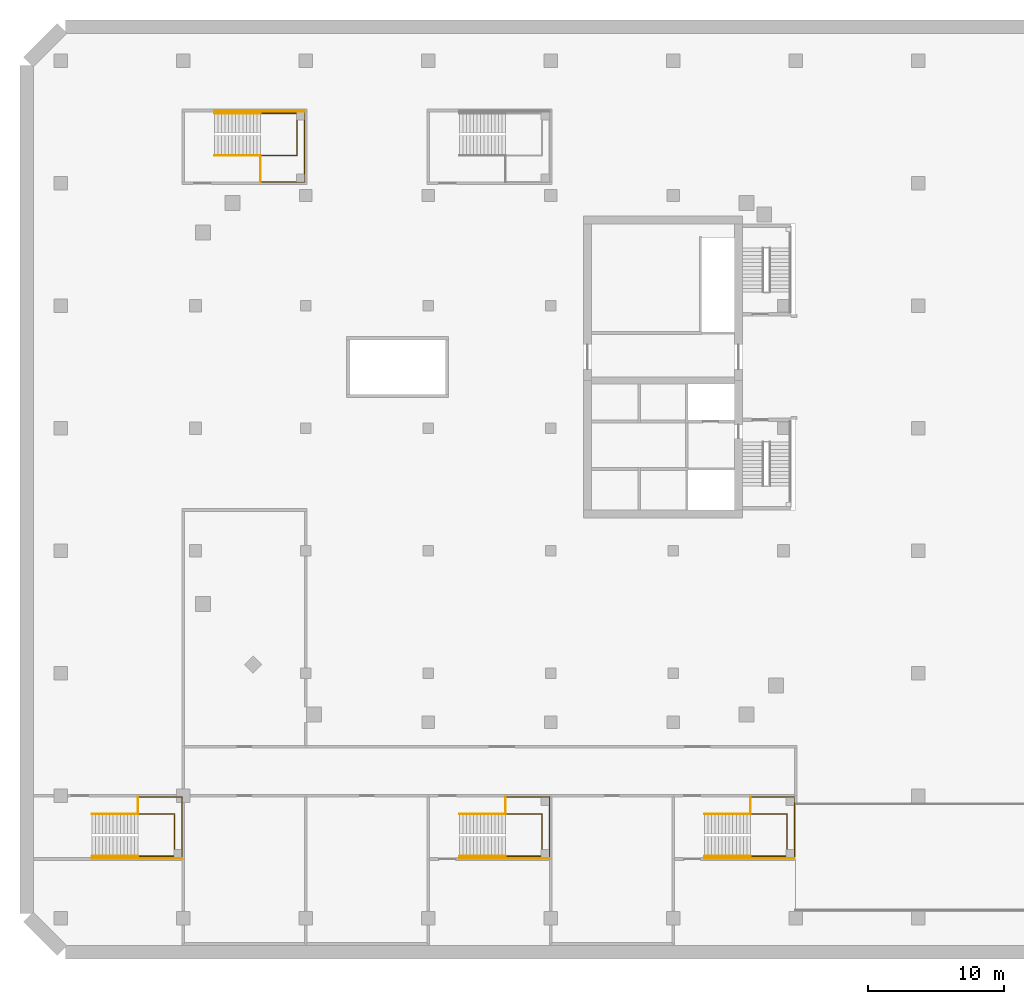
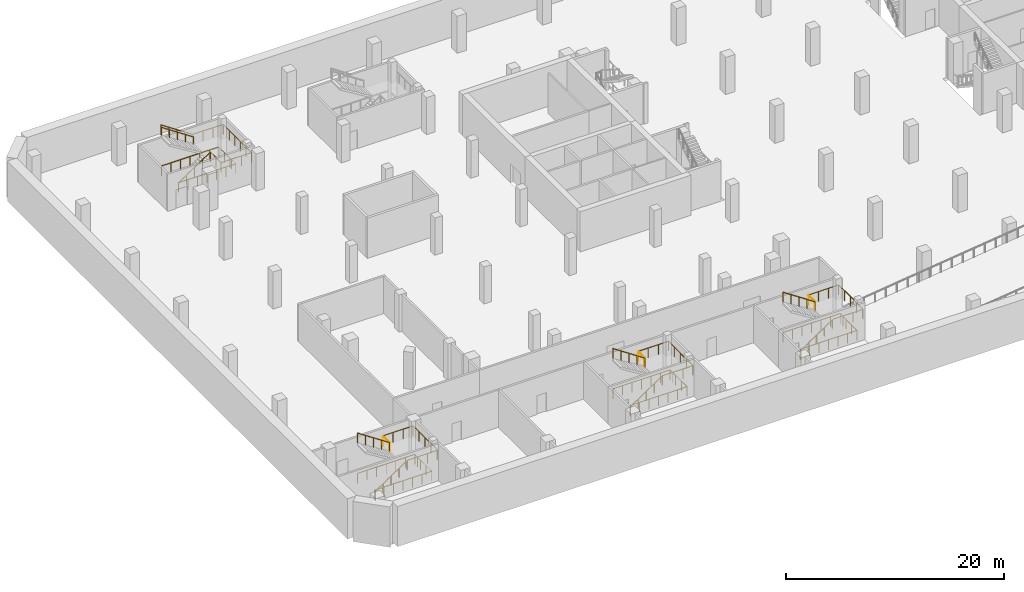
# One storey, part 12 of 16: 24 railings.
"""IFC4 building model written with IfcOpenShell, lengths in metres."""

from ifc_helpers import new_model, si_unit, direction, frame, origin, origin_2d, place, context, subcontext, project, spatial, circle, extrude, material, type_object, element, save


model = new_model("IFC4")

# Units and contexts
model_context = context("Model", 3, precision=1e-05, world=origin(), true_north=direction((0.0, 1.0)))
body_context = subcontext(model_context, "Body", "Model", "MODEL_VIEW")
ifc_project = project(units=[si_unit("LENGTHUNIT", "METRE"), si_unit("AREAUNIT", "SQUARE_METRE"), si_unit("VOLUMEUNIT", "CUBIC_METRE"), si_unit("PLANEANGLEUNIT", "RADIAN"), si_unit("MASSUNIT", "GRAM", prefix="KILO")], contexts=[model_context])

# Site, building, storey
site_placement = place(None, origin())
site = spatial("IfcSite", under=ifc_project, at=site_placement, CompositionType="ELEMENT")
building_placement = place(site_placement, origin())
building = spatial("IfcBuilding", under=site, at=building_placement, Name="Cinnabar Reach Civic Tower", CompositionType="ELEMENT")
storey_placement = place(building_placement, frame((0.0, 0.0, -9.5)))
storey = spatial("IfcBuildingStorey", under=building, at=storey_placement, Name="B2", CompositionType="ELEMENT", Elevation=-9.5)

# Railings
ifc_material_1 = material(Name="Stainless steel and glass", Category="steel")
railing_type_1 = type_object("IfcRailingType", Name="Podium guard 1100", PredefinedType="GUARDRAIL", material=ifc_material_1)
railing_1_placement = place(storey_placement, frame((-75.32, -1.35, 2.25)))
element("IfcRailing", 1, at=railing_1_placement, inside=storey, type_object=railing_type_1, Name="Stair guard PS1 B2", PredefinedType="GUARDRAIL", context=body_context, shape_type="SweptSolid", body=[
    extrude(circle(Radius=0.024, at=origin_2d()), frame((0.0, 0.0, 1.076), z_axis=(-0.832428993721, 0.0, 0.554131726589), x_axis=(0.0, -1.0, 0.0)), (0.0, 0.0, 1.0), 4.0604),
    extrude(circle(Radius=0.021, at=origin_2d()), origin(), (0.0, 0.0, 1.0), 1.052),
    extrude(circle(Radius=0.021, at=origin_2d()), frame((-0.845, 0.0, 0.5625)), (0.0, 0.0, 1.0), 1.052),
    extrude(circle(Radius=0.021, at=origin_2d()), frame((-1.69, 0.0, 1.125)), (0.0, 0.0, 1.0), 1.052),
    extrude(circle(Radius=0.021, at=origin_2d()), frame((-2.535, 0.0, 1.6875)), (0.0, 0.0, 1.0), 1.052),
    extrude(circle(Radius=0.021, at=origin_2d()), frame((-3.38, 0.0, 2.25)), (0.0, 0.0, 1.0), 1.052),
])
railing_2_placement = place(storey_placement, frame((-75.32, -0.1, 2.25)))
element("IfcRailing", 2, at=railing_2_placement, inside=storey, type_object=railing_type_1, Name="Landing guard PS1 B2", PredefinedType="GUARDRAIL", context=body_context, shape_type="SweptSolid", body=[
    extrude(circle(Radius=0.024, at=origin_2d()), frame((0.0, 0.0, 1.076), z_axis=(1.0, 0.0, 0.0), x_axis=(0.0, 1.0, 0.0)), (0.0, 0.0, 1.0), 3.22),
    extrude(circle(Radius=0.024, at=origin_2d()), frame((3.22, 0.0, 1.076), z_axis=(0.0, -1.0, 0.0), x_axis=(1.0, 0.0, 0.0)), (0.0, 0.0, 1.0), 4.4),
    extrude(circle(Radius=0.021, at=origin_2d()), origin(), (0.0, 0.0, 1.0), 1.052),
    extrude(circle(Radius=0.021, at=origin_2d()), frame((1.0733, 0.0, 0.0)), (0.0, 0.0, 1.0), 1.052),
    extrude(circle(Radius=0.021, at=origin_2d()), frame((2.1467, 0.0, 0.0)), (0.0, 0.0, 1.0), 1.052),
    extrude(circle(Radius=0.021, at=origin_2d()), frame((3.22, 0.0, 0.0)), (0.0, 0.0, 1.0), 1.052),
    extrude(circle(Radius=0.021, at=origin_2d()), frame((3.22, -1.1, 0.0)), (0.0, 0.0, 1.0), 1.052),
    extrude(circle(Radius=0.021, at=origin_2d()), frame((3.22, -2.2, 0.0)), (0.0, 0.0, 1.0), 1.052),
    extrude(circle(Radius=0.021, at=origin_2d()), frame((3.22, -3.3, 0.0)), (0.0, 0.0, 1.0), 1.052),
    extrude(circle(Radius=0.021, at=origin_2d()), frame((3.22, -4.4, 0.0)), (0.0, 0.0, 1.0), 1.052),
])
railing_3_placement = place(storey_placement, frame((-75.32, -1.3, 2.25)))
element("IfcRailing", 3, at=railing_3_placement, inside=storey, type_object=railing_type_1, Name="Landing guard PS1 B2 inner", PredefinedType="GUARDRAIL", context=body_context, shape_type="SweptSolid", body=[
    extrude(circle(Radius=0.024, at=origin_2d()), frame((0.0, 0.0, 1.076), z_axis=(0.0, 1.0, 0.0), x_axis=(-1.0, 0.0, 0.0)), (0.0, 0.0, 1.0), 1.2),
    extrude(circle(Radius=0.021, at=origin_2d()), origin(), (0.0, 0.0, 1.0), 1.052),
    extrude(circle(Radius=0.021, at=origin_2d()), frame((0.0, 1.2, 0.0)), (0.0, 0.0, 1.0), 1.052),
])
railing_4_placement = place(storey_placement, frame((-78.7, -4.6, 0.0)))
element("IfcRailing", 4, at=railing_4_placement, inside=storey, type_object=railing_type_1, Name="Stair wall side guard PS1 B2", PredefinedType="GUARDRAIL", context=body_context, shape_type="SweptSolid", body=[
    extrude(circle(Radius=0.024, at=origin_2d()), frame((0.0, 0.0, 1.076), z_axis=(0.832428993721, 0.0, 0.554131726589), x_axis=(0.0, 1.0, 0.0)), (0.0, 0.0, 1.0), 4.0604),
    extrude(circle(Radius=0.024, at=origin_2d()), frame((3.38, 0.0, 3.326), z_axis=(1.0, 0.0, 0.0), x_axis=(0.0, 1.0, 0.0)), (0.0, 0.0, 1.0), 3.22),
    extrude(circle(Radius=0.021, at=origin_2d()), origin(), (0.0, 0.0, 1.0), 1.052),
    extrude(circle(Radius=0.021, at=origin_2d()), frame((0.845, 0.0, 0.5625)), (0.0, 0.0, 1.0), 1.052),
    extrude(circle(Radius=0.021, at=origin_2d()), frame((1.69, 0.0, 1.125)), (0.0, 0.0, 1.0), 1.052),
    extrude(circle(Radius=0.021, at=origin_2d()), frame((2.535, 0.0, 1.6875)), (0.0, 0.0, 1.0), 1.052),
    extrude(circle(Radius=0.021, at=origin_2d()), frame((3.38, 0.0, 2.25)), (0.0, 0.0, 1.0), 1.052),
    extrude(circle(Radius=0.021, at=origin_2d()), frame((4.4533, 0.0, 2.25)), (0.0, 0.0, 1.0), 1.052),
    extrude(circle(Radius=0.021, at=origin_2d()), frame((5.5267, 0.0, 2.25)), (0.0, 0.0, 1.0), 1.052),
    extrude(circle(Radius=0.021, at=origin_2d()), frame((6.6, 0.0, 2.25)), (0.0, 0.0, 1.0), 1.052),
])
railing_5_placement = place(storey_placement, frame((-78.7, -4.45, 0.0)))
element("IfcRailing", 5, at=railing_5_placement, inside=storey, type_object=railing_type_1, Name="Stair well guard PS1 B2", PredefinedType="GUARDRAIL", context=body_context, shape_type="SweptSolid", body=[
    extrude(circle(Radius=0.024, at=origin_2d()), frame((0.0, 0.0, 1.076), z_axis=(1.0, 0.0, 0.0), x_axis=(0.0, 1.0, 0.0)), (0.0, 0.0, 1.0), 6.05),
    extrude(circle(Radius=0.024, at=origin_2d()), frame((6.05, 0.0, 1.076), z_axis=(0.0, 1.0, 0.0), x_axis=(-1.0, 0.0, 0.0)), (0.0, 0.0, 1.0), 3.1),
    extrude(circle(Radius=0.024, at=origin_2d()), frame((6.05, 3.1, 1.076), z_axis=(-1.0, 0.0, 0.0), x_axis=(0.0, -1.0, 0.0)), (0.0, 0.0, 1.0), 6.05),
    extrude(circle(Radius=0.021, at=origin_2d()), origin(), (0.0, 0.0, 1.0), 1.052),
    extrude(circle(Radius=0.021, at=origin_2d()), frame((1.0083, 0.0, 0.0)), (0.0, 0.0, 1.0), 1.052),
    extrude(circle(Radius=0.021, at=origin_2d()), frame((2.0167, 0.0, 0.0)), (0.0, 0.0, 1.0), 1.052),
    extrude(circle(Radius=0.021, at=origin_2d()), frame((3.025, 0.0, 0.0)), (0.0, 0.0, 1.0), 1.052),
    extrude(circle(Radius=0.021, at=origin_2d()), frame((4.0333, 0.0, 0.0)), (0.0, 0.0, 1.0), 1.052),
    extrude(circle(Radius=0.021, at=origin_2d()), frame((5.0417, 0.0, 0.0)), (0.0, 0.0, 1.0), 1.052),
    extrude(circle(Radius=0.021, at=origin_2d()), frame((6.05, 0.0, 0.0)), (0.0, 0.0, 1.0), 1.052),
    extrude(circle(Radius=0.021, at=origin_2d()), frame((6.05, 1.0333, 0.0)), (0.0, 0.0, 1.0), 1.052),
    extrude(circle(Radius=0.021, at=origin_2d()), frame((6.05, 2.0667, 0.0)), (0.0, 0.0, 1.0), 1.052),
    extrude(circle(Radius=0.021, at=origin_2d()), frame((6.05, 3.1, 0.0)), (0.0, 0.0, 1.0), 1.052),
    extrude(circle(Radius=0.021, at=origin_2d()), frame((5.0417, 3.1, 0.0)), (0.0, 0.0, 1.0), 1.052),
    extrude(circle(Radius=0.021, at=origin_2d()), frame((4.0333, 3.1, 0.0)), (0.0, 0.0, 1.0), 1.052),
    extrude(circle(Radius=0.021, at=origin_2d()), frame((3.025, 3.1, 0.0)), (0.0, 0.0, 1.0), 1.052),
    extrude(circle(Radius=0.021, at=origin_2d()), frame((2.0167, 3.1, 0.0)), (0.0, 0.0, 1.0), 1.052),
    extrude(circle(Radius=0.021, at=origin_2d()), frame((1.0083, 3.1, 0.0)), (0.0, 0.0, 1.0), 1.052),
    extrude(circle(Radius=0.021, at=origin_2d()), frame((0.0, 3.1, 0.0)), (0.0, 0.0, 1.0), 1.052),
])
railing_6_placement = place(storey_placement, frame((-69.7, 47.05, 0.0)))
element("IfcRailing", 6, at=railing_6_placement, inside=storey, type_object=railing_type_1, Name="Stair guard PS2 B2", PredefinedType="GUARDRAIL", context=body_context, shape_type="SweptSolid", body=[
    extrude(circle(Radius=0.024, at=origin_2d()), frame((0.0, 0.0, 1.076), z_axis=(0.832428993721, 0.0, 0.554131726589), x_axis=(0.0, 1.0, 0.0)), (0.0, 0.0, 1.0), 4.0604),
    extrude(circle(Radius=0.021, at=origin_2d()), origin(), (0.0, 0.0, 1.0), 1.052),
    extrude(circle(Radius=0.021, at=origin_2d()), frame((0.845, 0.0, 0.5625)), (0.0, 0.0, 1.0), 1.052),
    extrude(circle(Radius=0.021, at=origin_2d()), frame((1.69, 0.0, 1.125)), (0.0, 0.0, 1.0), 1.052),
    extrude(circle(Radius=0.021, at=origin_2d()), frame((2.535, 0.0, 1.6875)), (0.0, 0.0, 1.0), 1.052),
    extrude(circle(Radius=0.021, at=origin_2d()), frame((3.38, 0.0, 2.25)), (0.0, 0.0, 1.0), 1.052),
])
railing_7_placement = place(storey_placement, frame((-66.32, 45.1, 2.25)))
element("IfcRailing", 7, at=railing_7_placement, inside=storey, type_object=railing_type_1, Name="Landing guard PS2 B2", PredefinedType="GUARDRAIL", context=body_context, shape_type="SweptSolid", body=[
    extrude(circle(Radius=0.024, at=origin_2d()), frame((0.0, 0.0, 1.076), z_axis=(1.0, 0.0, 0.0), x_axis=(0.0, 1.0, 0.0)), (0.0, 0.0, 1.0), 3.22),
    extrude(circle(Radius=0.024, at=origin_2d()), frame((3.22, 0.0, 1.076), z_axis=(0.0, 1.0, 0.0), x_axis=(-1.0, 0.0, 0.0)), (0.0, 0.0, 1.0), 5.1),
    extrude(circle(Radius=0.021, at=origin_2d()), origin(), (0.0, 0.0, 1.0), 1.052),
    extrude(circle(Radius=0.021, at=origin_2d()), frame((1.0733, 0.0, 0.0)), (0.0, 0.0, 1.0), 1.052),
    extrude(circle(Radius=0.021, at=origin_2d()), frame((2.1467, 0.0, 0.0)), (0.0, 0.0, 1.0), 1.052),
    extrude(circle(Radius=0.021, at=origin_2d()), frame((3.22, 0.0, 0.0)), (0.0, 0.0, 1.0), 1.052),
    extrude(circle(Radius=0.021, at=origin_2d()), frame((3.22, 1.02, 0.0)), (0.0, 0.0, 1.0), 1.052),
    extrude(circle(Radius=0.021, at=origin_2d()), frame((3.22, 2.04, 0.0)), (0.0, 0.0, 1.0), 1.052),
    extrude(circle(Radius=0.021, at=origin_2d()), frame((3.22, 3.06, 0.0)), (0.0, 0.0, 1.0), 1.052),
    extrude(circle(Radius=0.021, at=origin_2d()), frame((3.22, 4.08, 0.0)), (0.0, 0.0, 1.0), 1.052),
    extrude(circle(Radius=0.021, at=origin_2d()), frame((3.22, 5.1, 0.0)), (0.0, 0.0, 1.0), 1.052),
])
railing_8_placement = place(storey_placement, frame((-66.32, 45.1, 2.25)))
element("IfcRailing", 8, at=railing_8_placement, inside=storey, type_object=railing_type_1, Name="Landing guard PS2 B2 inner", PredefinedType="GUARDRAIL", context=body_context, shape_type="SweptSolid", body=[
    extrude(circle(Radius=0.024, at=origin_2d()), frame((0.0, 0.0, 1.076), z_axis=(0.0, 1.0, 0.0), x_axis=(-1.0, 0.0, 0.0)), (0.0, 0.0, 1.0), 1.9),
    extrude(circle(Radius=0.021, at=origin_2d()), origin(), (0.0, 0.0, 1.0), 1.052),
    extrude(circle(Radius=0.021, at=origin_2d()), frame((0.0, 0.95, 0.0)), (0.0, 0.0, 1.0), 1.052),
    extrude(circle(Radius=0.021, at=origin_2d()), frame((0.0, 1.9, 0.0)), (0.0, 0.0, 1.0), 1.052),
])
railing_9_placement = place(storey_placement, frame((-63.1, 50.3, 2.25)))
element("IfcRailing", 9, at=railing_9_placement, inside=storey, type_object=railing_type_1, Name="Stair wall side guard PS2 B2", PredefinedType="GUARDRAIL", context=body_context, shape_type="SweptSolid", body=[
    extrude(circle(Radius=0.024, at=origin_2d()), frame((0.0, 0.0, 1.076), z_axis=(-1.0, 0.0, 0.0), x_axis=(0.0, -1.0, 0.0)), (0.0, 0.0, 1.0), 3.22),
    extrude(circle(Radius=0.024, at=origin_2d()), frame((-3.22, 0.0, 1.076), z_axis=(-0.832428993721, 0.0, 0.554131726589), x_axis=(0.0, -1.0, 0.0)), (0.0, 0.0, 1.0), 4.0604),
    extrude(circle(Radius=0.021, at=origin_2d()), origin(), (0.0, 0.0, 1.0), 1.052),
    extrude(circle(Radius=0.021, at=origin_2d()), frame((-1.0733, 0.0, 0.0)), (0.0, 0.0, 1.0), 1.052),
    extrude(circle(Radius=0.021, at=origin_2d()), frame((-2.1467, 0.0, 0.0)), (0.0, 0.0, 1.0), 1.052),
    extrude(circle(Radius=0.021, at=origin_2d()), frame((-3.22, 0.0, 0.0)), (0.0, 0.0, 1.0), 1.052),
    extrude(circle(Radius=0.021, at=origin_2d()), frame((-4.065, 0.0, 0.5625)), (0.0, 0.0, 1.0), 1.052),
    extrude(circle(Radius=0.021, at=origin_2d()), frame((-4.91, 0.0, 1.125)), (0.0, 0.0, 1.0), 1.052),
    extrude(circle(Radius=0.021, at=origin_2d()), frame((-5.755, 0.0, 1.6875)), (0.0, 0.0, 1.0), 1.052),
    extrude(circle(Radius=0.021, at=origin_2d()), frame((-6.6, 0.0, 2.25)), (0.0, 0.0, 1.0), 1.052),
])
railing_10_placement = place(storey_placement, frame((-69.7, 47.05, 0.0)))
element("IfcRailing", 10, at=railing_10_placement, inside=storey, type_object=railing_type_1, Name="Stair well guard PS2 B2", PredefinedType="GUARDRAIL", context=body_context, shape_type="SweptSolid", body=[
    extrude(circle(Radius=0.024, at=origin_2d()), frame((0.0, 0.0, 1.076), z_axis=(1.0, 0.0, 0.0), x_axis=(0.0, 1.0, 0.0)), (0.0, 0.0, 1.0), 6.05),
    extrude(circle(Radius=0.024, at=origin_2d()), frame((6.05, 0.0, 1.076), z_axis=(0.0, 1.0, 0.0), x_axis=(-1.0, 0.0, 0.0)), (0.0, 0.0, 1.0), 3.1),
    extrude(circle(Radius=0.024, at=origin_2d()), frame((6.05, 3.1, 1.076), z_axis=(-1.0, 0.0, 0.0), x_axis=(0.0, -1.0, 0.0)), (0.0, 0.0, 1.0), 6.05),
    extrude(circle(Radius=0.021, at=origin_2d()), origin(), (0.0, 0.0, 1.0), 1.052),
    extrude(circle(Radius=0.021, at=origin_2d()), frame((1.0083, 0.0, 0.0)), (0.0, 0.0, 1.0), 1.052),
    extrude(circle(Radius=0.021, at=origin_2d()), frame((2.0167, 0.0, 0.0)), (0.0, 0.0, 1.0), 1.052),
    extrude(circle(Radius=0.021, at=origin_2d()), frame((3.025, 0.0, 0.0)), (0.0, 0.0, 1.0), 1.052),
    extrude(circle(Radius=0.021, at=origin_2d()), frame((4.0333, 0.0, 0.0)), (0.0, 0.0, 1.0), 1.052),
    extrude(circle(Radius=0.021, at=origin_2d()), frame((5.0417, 0.0, 0.0)), (0.0, 0.0, 1.0), 1.052),
    extrude(circle(Radius=0.021, at=origin_2d()), frame((6.05, 0.0, 0.0)), (0.0, 0.0, 1.0), 1.052),
    extrude(circle(Radius=0.021, at=origin_2d()), frame((6.05, 1.0333, 0.0)), (0.0, 0.0, 1.0), 1.052),
    extrude(circle(Radius=0.021, at=origin_2d()), frame((6.05, 2.0667, 0.0)), (0.0, 0.0, 1.0), 1.052),
    extrude(circle(Radius=0.021, at=origin_2d()), frame((6.05, 3.1, 0.0)), (0.0, 0.0, 1.0), 1.052),
    extrude(circle(Radius=0.021, at=origin_2d()), frame((5.0417, 3.1, 0.0)), (0.0, 0.0, 1.0), 1.052),
    extrude(circle(Radius=0.021, at=origin_2d()), frame((4.0333, 3.1, 0.0)), (0.0, 0.0, 1.0), 1.052),
    extrude(circle(Radius=0.021, at=origin_2d()), frame((3.025, 3.1, 0.0)), (0.0, 0.0, 1.0), 1.052),
    extrude(circle(Radius=0.021, at=origin_2d()), frame((2.0167, 3.1, 0.0)), (0.0, 0.0, 1.0), 1.052),
    extrude(circle(Radius=0.021, at=origin_2d()), frame((1.0083, 3.1, 0.0)), (0.0, 0.0, 1.0), 1.052),
    extrude(circle(Radius=0.021, at=origin_2d()), frame((0.0, 3.1, 0.0)), (0.0, 0.0, 1.0), 1.052),
])
railing_11_placement = place(storey_placement, frame((-48.32, -1.35, 2.25)))
element("IfcRailing", 11, at=railing_11_placement, inside=storey, type_object=railing_type_1, Name="Stair guard PS8 B2", PredefinedType="GUARDRAIL", context=body_context, shape_type="SweptSolid", body=[
    extrude(circle(Radius=0.024, at=origin_2d()), frame((0.0, 0.0, 1.076), z_axis=(-0.832428993721, 0.0, 0.554131726589), x_axis=(0.0, -1.0, 0.0)), (0.0, 0.0, 1.0), 4.0604),
    extrude(circle(Radius=0.021, at=origin_2d()), origin(), (0.0, 0.0, 1.0), 1.052),
    extrude(circle(Radius=0.021, at=origin_2d()), frame((-0.845, 0.0, 0.5625)), (0.0, 0.0, 1.0), 1.052),
    extrude(circle(Radius=0.021, at=origin_2d()), frame((-1.69, 0.0, 1.125)), (0.0, 0.0, 1.0), 1.052),
    extrude(circle(Radius=0.021, at=origin_2d()), frame((-2.535, 0.0, 1.6875)), (0.0, 0.0, 1.0), 1.052),
    extrude(circle(Radius=0.021, at=origin_2d()), frame((-3.38, 0.0, 2.25)), (0.0, 0.0, 1.0), 1.052),
])
railing_12_placement = place(storey_placement, frame((-48.32, -0.1, 2.25)))
element("IfcRailing", 12, at=railing_12_placement, inside=storey, type_object=railing_type_1, Name="Landing guard PS8 B2", PredefinedType="GUARDRAIL", context=body_context, shape_type="SweptSolid", body=[
    extrude(circle(Radius=0.024, at=origin_2d()), frame((0.0, 0.0, 1.076), z_axis=(1.0, 0.0, 0.0), x_axis=(0.0, 1.0, 0.0)), (0.0, 0.0, 1.0), 3.22),
    extrude(circle(Radius=0.024, at=origin_2d()), frame((3.22, 0.0, 1.076), z_axis=(0.0, -1.0, 0.0), x_axis=(1.0, 0.0, 0.0)), (0.0, 0.0, 1.0), 4.4),
    extrude(circle(Radius=0.021, at=origin_2d()), origin(), (0.0, 0.0, 1.0), 1.052),
    extrude(circle(Radius=0.021, at=origin_2d()), frame((1.0733, 0.0, 0.0)), (0.0, 0.0, 1.0), 1.052),
    extrude(circle(Radius=0.021, at=origin_2d()), frame((2.1467, 0.0, 0.0)), (0.0, 0.0, 1.0), 1.052),
    extrude(circle(Radius=0.021, at=origin_2d()), frame((3.22, 0.0, 0.0)), (0.0, 0.0, 1.0), 1.052),
    extrude(circle(Radius=0.021, at=origin_2d()), frame((3.22, -1.1, 0.0)), (0.0, 0.0, 1.0), 1.052),
    extrude(circle(Radius=0.021, at=origin_2d()), frame((3.22, -2.2, 0.0)), (0.0, 0.0, 1.0), 1.052),
    extrude(circle(Radius=0.021, at=origin_2d()), frame((3.22, -3.3, 0.0)), (0.0, 0.0, 1.0), 1.052),
    extrude(circle(Radius=0.021, at=origin_2d()), frame((3.22, -4.4, 0.0)), (0.0, 0.0, 1.0), 1.052),
])
railing_13_placement = place(storey_placement, frame((-48.32, -1.3, 2.25)))
element("IfcRailing", 13, at=railing_13_placement, inside=storey, type_object=railing_type_1, Name="Landing guard PS8 B2 inner", PredefinedType="GUARDRAIL", context=body_context, shape_type="SweptSolid", body=[
    extrude(circle(Radius=0.024, at=origin_2d()), frame((0.0, 0.0, 1.076), z_axis=(0.0, 1.0, 0.0), x_axis=(-1.0, 0.0, 0.0)), (0.0, 0.0, 1.0), 1.2),
    extrude(circle(Radius=0.021, at=origin_2d()), origin(), (0.0, 0.0, 1.0), 1.052),
    extrude(circle(Radius=0.021, at=origin_2d()), frame((0.0, 1.2, 0.0)), (0.0, 0.0, 1.0), 1.052),
])
railing_14_placement = place(storey_placement, frame((-51.7, -4.6, 0.0)))
element("IfcRailing", 14, at=railing_14_placement, inside=storey, type_object=railing_type_1, Name="Stair wall side guard PS8 B2", PredefinedType="GUARDRAIL", context=body_context, shape_type="SweptSolid", body=[
    extrude(circle(Radius=0.024, at=origin_2d()), frame((0.0, 0.0, 1.076), z_axis=(0.832428993721, 0.0, 0.554131726589), x_axis=(0.0, 1.0, 0.0)), (0.0, 0.0, 1.0), 4.0604),
    extrude(circle(Radius=0.024, at=origin_2d()), frame((3.38, 0.0, 3.326), z_axis=(1.0, 0.0, 0.0), x_axis=(0.0, 1.0, 0.0)), (0.0, 0.0, 1.0), 3.22),
    extrude(circle(Radius=0.021, at=origin_2d()), origin(), (0.0, 0.0, 1.0), 1.052),
    extrude(circle(Radius=0.021, at=origin_2d()), frame((0.845, 0.0, 0.5625)), (0.0, 0.0, 1.0), 1.052),
    extrude(circle(Radius=0.021, at=origin_2d()), frame((1.69, 0.0, 1.125)), (0.0, 0.0, 1.0), 1.052),
    extrude(circle(Radius=0.021, at=origin_2d()), frame((2.535, 0.0, 1.6875)), (0.0, 0.0, 1.0), 1.052),
    extrude(circle(Radius=0.021, at=origin_2d()), frame((3.38, 0.0, 2.25)), (0.0, 0.0, 1.0), 1.052),
    extrude(circle(Radius=0.021, at=origin_2d()), frame((4.4533, 0.0, 2.25)), (0.0, 0.0, 1.0), 1.052),
    extrude(circle(Radius=0.021, at=origin_2d()), frame((5.5267, 0.0, 2.25)), (0.0, 0.0, 1.0), 1.052),
    extrude(circle(Radius=0.021, at=origin_2d()), frame((6.6, 0.0, 2.25)), (0.0, 0.0, 1.0), 1.052),
])
railing_15_placement = place(storey_placement, frame((-51.7, -4.45, 0.0)))
element("IfcRailing", 15, at=railing_15_placement, inside=storey, type_object=railing_type_1, Name="Stair well guard PS8 B2", PredefinedType="GUARDRAIL", context=body_context, shape_type="SweptSolid", body=[
    extrude(circle(Radius=0.024, at=origin_2d()), frame((0.0, 0.0, 1.076), z_axis=(1.0, 0.0, 0.0), x_axis=(0.0, 1.0, 0.0)), (0.0, 0.0, 1.0), 6.05),
    extrude(circle(Radius=0.024, at=origin_2d()), frame((6.05, 0.0, 1.076), z_axis=(0.0, 1.0, 0.0), x_axis=(-1.0, 0.0, 0.0)), (0.0, 0.0, 1.0), 3.1),
    extrude(circle(Radius=0.024, at=origin_2d()), frame((6.05, 3.1, 1.076), z_axis=(-1.0, 0.0, 0.0), x_axis=(0.0, -1.0, 0.0)), (0.0, 0.0, 1.0), 6.05),
    extrude(circle(Radius=0.021, at=origin_2d()), origin(), (0.0, 0.0, 1.0), 1.052),
    extrude(circle(Radius=0.021, at=origin_2d()), frame((1.0083, 0.0, 0.0)), (0.0, 0.0, 1.0), 1.052),
    extrude(circle(Radius=0.021, at=origin_2d()), frame((2.0167, 0.0, 0.0)), (0.0, 0.0, 1.0), 1.052),
    extrude(circle(Radius=0.021, at=origin_2d()), frame((3.025, 0.0, 0.0)), (0.0, 0.0, 1.0), 1.052),
    extrude(circle(Radius=0.021, at=origin_2d()), frame((4.0333, 0.0, 0.0)), (0.0, 0.0, 1.0), 1.052),
    extrude(circle(Radius=0.021, at=origin_2d()), frame((5.0417, 0.0, 0.0)), (0.0, 0.0, 1.0), 1.052),
    extrude(circle(Radius=0.021, at=origin_2d()), frame((6.05, 0.0, 0.0)), (0.0, 0.0, 1.0), 1.052),
    extrude(circle(Radius=0.021, at=origin_2d()), frame((6.05, 1.0333, 0.0)), (0.0, 0.0, 1.0), 1.052),
    extrude(circle(Radius=0.021, at=origin_2d()), frame((6.05, 2.0667, 0.0)), (0.0, 0.0, 1.0), 1.052),
    extrude(circle(Radius=0.021, at=origin_2d()), frame((6.05, 3.1, 0.0)), (0.0, 0.0, 1.0), 1.052),
    extrude(circle(Radius=0.021, at=origin_2d()), frame((5.0417, 3.1, 0.0)), (0.0, 0.0, 1.0), 1.052),
    extrude(circle(Radius=0.021, at=origin_2d()), frame((4.0333, 3.1, 0.0)), (0.0, 0.0, 1.0), 1.052),
    extrude(circle(Radius=0.021, at=origin_2d()), frame((3.025, 3.1, 0.0)), (0.0, 0.0, 1.0), 1.052),
    extrude(circle(Radius=0.021, at=origin_2d()), frame((2.0167, 3.1, 0.0)), (0.0, 0.0, 1.0), 1.052),
    extrude(circle(Radius=0.021, at=origin_2d()), frame((1.0083, 3.1, 0.0)), (0.0, 0.0, 1.0), 1.052),
    extrude(circle(Radius=0.021, at=origin_2d()), frame((0.0, 3.1, 0.0)), (0.0, 0.0, 1.0), 1.052),
])
railing_16_placement = place(storey_placement, frame((-30.32, -1.35, 2.25)))
element("IfcRailing", 16, at=railing_16_placement, inside=storey, type_object=railing_type_1, Name="Stair guard PS9 B2", PredefinedType="GUARDRAIL", context=body_context, shape_type="SweptSolid", body=[
    extrude(circle(Radius=0.024, at=origin_2d()), frame((0.0, 0.0, 1.076), z_axis=(-0.832428993721, 0.0, 0.554131726589), x_axis=(0.0, -1.0, 0.0)), (0.0, 0.0, 1.0), 4.0604),
    extrude(circle(Radius=0.021, at=origin_2d()), origin(), (0.0, 0.0, 1.0), 1.052),
    extrude(circle(Radius=0.021, at=origin_2d()), frame((-0.845, 0.0, 0.5625)), (0.0, 0.0, 1.0), 1.052),
    extrude(circle(Radius=0.021, at=origin_2d()), frame((-1.69, 0.0, 1.125)), (0.0, 0.0, 1.0), 1.052),
    extrude(circle(Radius=0.021, at=origin_2d()), frame((-2.535, 0.0, 1.6875)), (0.0, 0.0, 1.0), 1.052),
    extrude(circle(Radius=0.021, at=origin_2d()), frame((-3.38, 0.0, 2.25)), (0.0, 0.0, 1.0), 1.052),
])
railing_17_placement = place(storey_placement, frame((-30.32, -0.1, 2.25)))
element("IfcRailing", 17, at=railing_17_placement, inside=storey, type_object=railing_type_1, Name="Landing guard PS9 B2", PredefinedType="GUARDRAIL", context=body_context, shape_type="SweptSolid", body=[
    extrude(circle(Radius=0.024, at=origin_2d()), frame((0.0, 0.0, 1.076), z_axis=(1.0, 0.0, 0.0), x_axis=(0.0, 1.0, 0.0)), (0.0, 0.0, 1.0), 3.22),
    extrude(circle(Radius=0.024, at=origin_2d()), frame((3.22, 0.0, 1.076), z_axis=(0.0, -1.0, 0.0), x_axis=(1.0, 0.0, 0.0)), (0.0, 0.0, 1.0), 4.4),
    extrude(circle(Radius=0.021, at=origin_2d()), origin(), (0.0, 0.0, 1.0), 1.052),
    extrude(circle(Radius=0.021, at=origin_2d()), frame((1.0733, 0.0, 0.0)), (0.0, 0.0, 1.0), 1.052),
    extrude(circle(Radius=0.021, at=origin_2d()), frame((2.1467, 0.0, 0.0)), (0.0, 0.0, 1.0), 1.052),
    extrude(circle(Radius=0.021, at=origin_2d()), frame((3.22, 0.0, 0.0)), (0.0, 0.0, 1.0), 1.052),
    extrude(circle(Radius=0.021, at=origin_2d()), frame((3.22, -1.1, 0.0)), (0.0, 0.0, 1.0), 1.052),
    extrude(circle(Radius=0.021, at=origin_2d()), frame((3.22, -2.2, 0.0)), (0.0, 0.0, 1.0), 1.052),
    extrude(circle(Radius=0.021, at=origin_2d()), frame((3.22, -3.3, 0.0)), (0.0, 0.0, 1.0), 1.052),
    extrude(circle(Radius=0.021, at=origin_2d()), frame((3.22, -4.4, 0.0)), (0.0, 0.0, 1.0), 1.052),
])
railing_18_placement = place(storey_placement, frame((-30.32, -1.3, 2.25)))
element("IfcRailing", 18, at=railing_18_placement, inside=storey, type_object=railing_type_1, Name="Landing guard PS9 B2 inner", PredefinedType="GUARDRAIL", context=body_context, shape_type="SweptSolid", body=[
    extrude(circle(Radius=0.024, at=origin_2d()), frame((0.0, 0.0, 1.076), z_axis=(0.0, 1.0, 0.0), x_axis=(-1.0, 0.0, 0.0)), (0.0, 0.0, 1.0), 1.2),
    extrude(circle(Radius=0.021, at=origin_2d()), origin(), (0.0, 0.0, 1.0), 1.052),
    extrude(circle(Radius=0.021, at=origin_2d()), frame((0.0, 1.2, 0.0)), (0.0, 0.0, 1.0), 1.052),
])
railing_19_placement = place(storey_placement, frame((-33.7, -4.6, 0.0)))
element("IfcRailing", 19, at=railing_19_placement, inside=storey, type_object=railing_type_1, Name="Stair wall side guard PS9 B2", PredefinedType="GUARDRAIL", context=body_context, shape_type="SweptSolid", body=[
    extrude(circle(Radius=0.024, at=origin_2d()), frame((0.0, 0.0, 1.076), z_axis=(0.832428993721, 0.0, 0.554131726589), x_axis=(0.0, 1.0, 0.0)), (0.0, 0.0, 1.0), 4.0604),
    extrude(circle(Radius=0.024, at=origin_2d()), frame((3.38, 0.0, 3.326), z_axis=(1.0, 0.0, 0.0), x_axis=(0.0, 1.0, 0.0)), (0.0, 0.0, 1.0), 3.22),
    extrude(circle(Radius=0.021, at=origin_2d()), origin(), (0.0, 0.0, 1.0), 1.052),
    extrude(circle(Radius=0.021, at=origin_2d()), frame((0.845, 0.0, 0.5625)), (0.0, 0.0, 1.0), 1.052),
    extrude(circle(Radius=0.021, at=origin_2d()), frame((1.69, 0.0, 1.125)), (0.0, 0.0, 1.0), 1.052),
    extrude(circle(Radius=0.021, at=origin_2d()), frame((2.535, 0.0, 1.6875)), (0.0, 0.0, 1.0), 1.052),
    extrude(circle(Radius=0.021, at=origin_2d()), frame((3.38, 0.0, 2.25)), (0.0, 0.0, 1.0), 1.052),
    extrude(circle(Radius=0.021, at=origin_2d()), frame((4.4533, 0.0, 2.25)), (0.0, 0.0, 1.0), 1.052),
    extrude(circle(Radius=0.021, at=origin_2d()), frame((5.5267, 0.0, 2.25)), (0.0, 0.0, 1.0), 1.052),
    extrude(circle(Radius=0.021, at=origin_2d()), frame((6.6, 0.0, 2.25)), (0.0, 0.0, 1.0), 1.052),
])
railing_20_placement = place(storey_placement, frame((-33.7, -4.45, 0.0)))
element("IfcRailing", 20, at=railing_20_placement, inside=storey, type_object=railing_type_1, Name="Stair well guard PS9 B2", PredefinedType="GUARDRAIL", context=body_context, shape_type="SweptSolid", body=[
    extrude(circle(Radius=0.024, at=origin_2d()), frame((0.0, 0.0, 1.076), z_axis=(1.0, 0.0, 0.0), x_axis=(0.0, 1.0, 0.0)), (0.0, 0.0, 1.0), 6.05),
    extrude(circle(Radius=0.024, at=origin_2d()), frame((6.05, 0.0, 1.076), z_axis=(0.0, 1.0, 0.0), x_axis=(-1.0, 0.0, 0.0)), (0.0, 0.0, 1.0), 3.1),
    extrude(circle(Radius=0.024, at=origin_2d()), frame((6.05, 3.1, 1.076), z_axis=(-1.0, 0.0, 0.0), x_axis=(0.0, -1.0, 0.0)), (0.0, 0.0, 1.0), 6.05),
    extrude(circle(Radius=0.021, at=origin_2d()), origin(), (0.0, 0.0, 1.0), 1.052),
    extrude(circle(Radius=0.021, at=origin_2d()), frame((1.0083, 0.0, 0.0)), (0.0, 0.0, 1.0), 1.052),
    extrude(circle(Radius=0.021, at=origin_2d()), frame((2.0167, 0.0, 0.0)), (0.0, 0.0, 1.0), 1.052),
    extrude(circle(Radius=0.021, at=origin_2d()), frame((3.025, 0.0, 0.0)), (0.0, 0.0, 1.0), 1.052),
    extrude(circle(Radius=0.021, at=origin_2d()), frame((4.0333, 0.0, 0.0)), (0.0, 0.0, 1.0), 1.052),
    extrude(circle(Radius=0.021, at=origin_2d()), frame((5.0417, 0.0, 0.0)), (0.0, 0.0, 1.0), 1.052),
    extrude(circle(Radius=0.021, at=origin_2d()), frame((6.05, 0.0, 0.0)), (0.0, 0.0, 1.0), 1.052),
    extrude(circle(Radius=0.021, at=origin_2d()), frame((6.05, 1.0333, 0.0)), (0.0, 0.0, 1.0), 1.052),
    extrude(circle(Radius=0.021, at=origin_2d()), frame((6.05, 2.0667, 0.0)), (0.0, 0.0, 1.0), 1.052),
    extrude(circle(Radius=0.021, at=origin_2d()), frame((6.05, 3.1, 0.0)), (0.0, 0.0, 1.0), 1.052),
    extrude(circle(Radius=0.021, at=origin_2d()), frame((5.0417, 3.1, 0.0)), (0.0, 0.0, 1.0), 1.052),
    extrude(circle(Radius=0.021, at=origin_2d()), frame((4.0333, 3.1, 0.0)), (0.0, 0.0, 1.0), 1.052),
    extrude(circle(Radius=0.021, at=origin_2d()), frame((3.025, 3.1, 0.0)), (0.0, 0.0, 1.0), 1.052),
    extrude(circle(Radius=0.021, at=origin_2d()), frame((2.0167, 3.1, 0.0)), (0.0, 0.0, 1.0), 1.052),
    extrude(circle(Radius=0.021, at=origin_2d()), frame((1.0083, 3.1, 0.0)), (0.0, 0.0, 1.0), 1.052),
    extrude(circle(Radius=0.021, at=origin_2d()), frame((0.0, 3.1, 0.0)), (0.0, 0.0, 1.0), 1.052),
])
ifc_material_2 = material(Name="Stainless steel", Category="steel")
railing_type_2 = type_object("IfcRailingType", Name="Podium stair handrail 900", PredefinedType="HANDRAIL", material=ifc_material_2)
railing_21_placement = place(storey_placement, frame((-78.7, -4.45, 0.0)))
element("IfcRailing", 21, at=railing_21_placement, inside=storey, type_object=railing_type_2, Name="Stair handrail PS1 B2", PredefinedType="HANDRAIL", context=body_context, shape_type="SweptSolid", body=[
    extrude(circle(Radius=0.024, at=origin_2d()), frame((0.0, 0.0, 0.876), z_axis=(0.832428993721, 0.0, 0.554131726589), x_axis=(0.0, 1.0, 0.0)), (0.0, 0.0, 1.0), 4.0604),
    extrude(circle(Radius=0.021, at=origin_2d()), origin(), (0.0, 0.0, 1.0), 0.852),
    extrude(circle(Radius=0.021, at=origin_2d()), frame((0.845, 0.0, 0.5625)), (0.0, 0.0, 1.0), 0.852),
    extrude(circle(Radius=0.021, at=origin_2d()), frame((1.69, 0.0, 1.125)), (0.0, 0.0, 1.0), 0.852),
    extrude(circle(Radius=0.021, at=origin_2d()), frame((2.535, 0.0, 1.6875)), (0.0, 0.0, 1.0), 0.852),
    extrude(circle(Radius=0.021, at=origin_2d()), frame((3.38, 0.0, 2.25)), (0.0, 0.0, 1.0), 0.852),
])
railing_22_placement = place(storey_placement, frame((-66.32, 50.15, 2.25)))
element("IfcRailing", 22, at=railing_22_placement, inside=storey, type_object=railing_type_2, Name="Stair handrail PS2 B2", PredefinedType="HANDRAIL", context=body_context, shape_type="SweptSolid", body=[
    extrude(circle(Radius=0.024, at=origin_2d()), frame((0.0, 0.0, 0.876), z_axis=(-0.832428993721, 0.0, 0.554131726589), x_axis=(0.0, -1.0, 0.0)), (0.0, 0.0, 1.0), 4.0604),
    extrude(circle(Radius=0.021, at=origin_2d()), origin(), (0.0, 0.0, 1.0), 0.852),
    extrude(circle(Radius=0.021, at=origin_2d()), frame((-0.845, 0.0, 0.5625)), (0.0, 0.0, 1.0), 0.852),
    extrude(circle(Radius=0.021, at=origin_2d()), frame((-1.69, 0.0, 1.125)), (0.0, 0.0, 1.0), 0.852),
    extrude(circle(Radius=0.021, at=origin_2d()), frame((-2.535, 0.0, 1.6875)), (0.0, 0.0, 1.0), 0.852),
    extrude(circle(Radius=0.021, at=origin_2d()), frame((-3.38, 0.0, 2.25)), (0.0, 0.0, 1.0), 0.852),
])
for number, where, name in (
    (23, (-51.7, -4.45, 0.0), "Stair handrail PS8 B2"),
    (24, (-33.7, -4.45, 0.0), "Stair handrail PS9 B2"),
):
    element("IfcRailing", number, at=place(storey_placement, frame(where)), inside=storey, type_object=railing_type_2, Name=name, PredefinedType="HANDRAIL", context=body_context, shape_type="SweptSolid", body=[
        extrude(circle(Radius=0.024, at=origin_2d()), frame((0.0, 0.0, 0.876), z_axis=(0.832428993721, 0.0, 0.554131726589), x_axis=(0.0, 1.0, 0.0)), (0.0, 0.0, 1.0), 4.0604),
        extrude(circle(Radius=0.021, at=origin_2d()), origin(), (0.0, 0.0, 1.0), 0.852),
        extrude(circle(Radius=0.021, at=origin_2d()), frame((0.845, 0.0, 0.5625)), (0.0, 0.0, 1.0), 0.852),
        extrude(circle(Radius=0.021, at=origin_2d()), frame((1.69, 0.0, 1.125)), (0.0, 0.0, 1.0), 0.852),
        extrude(circle(Radius=0.021, at=origin_2d()), frame((2.535, 0.0, 1.6875)), (0.0, 0.0, 1.0), 0.852),
        extrude(circle(Radius=0.021, at=origin_2d()), frame((3.38, 0.0, 2.25)), (0.0, 0.0, 1.0), 0.852),
    ])

save(model, "model.ifc")
